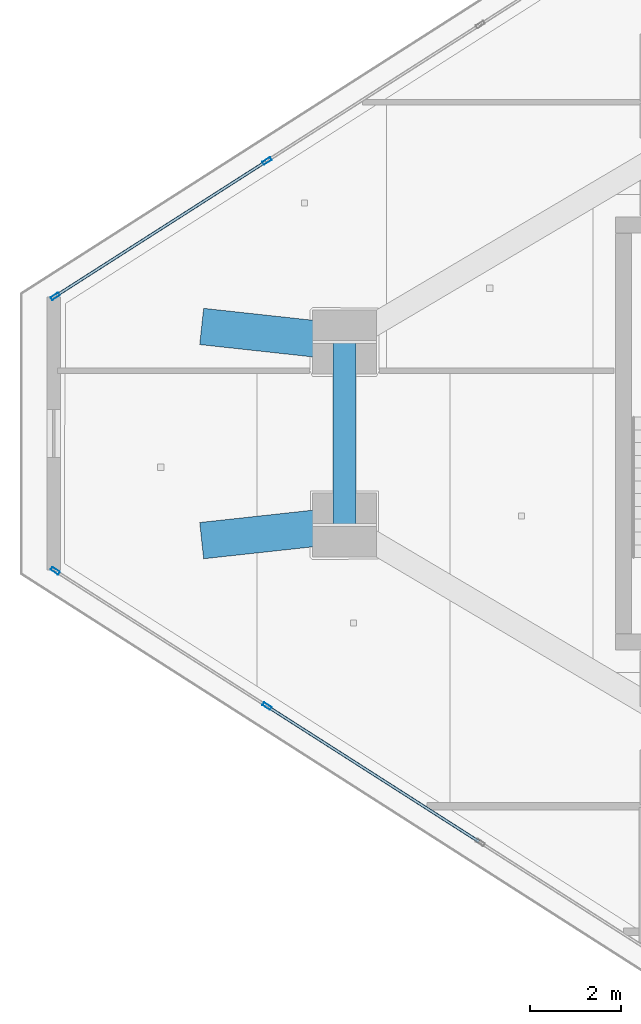
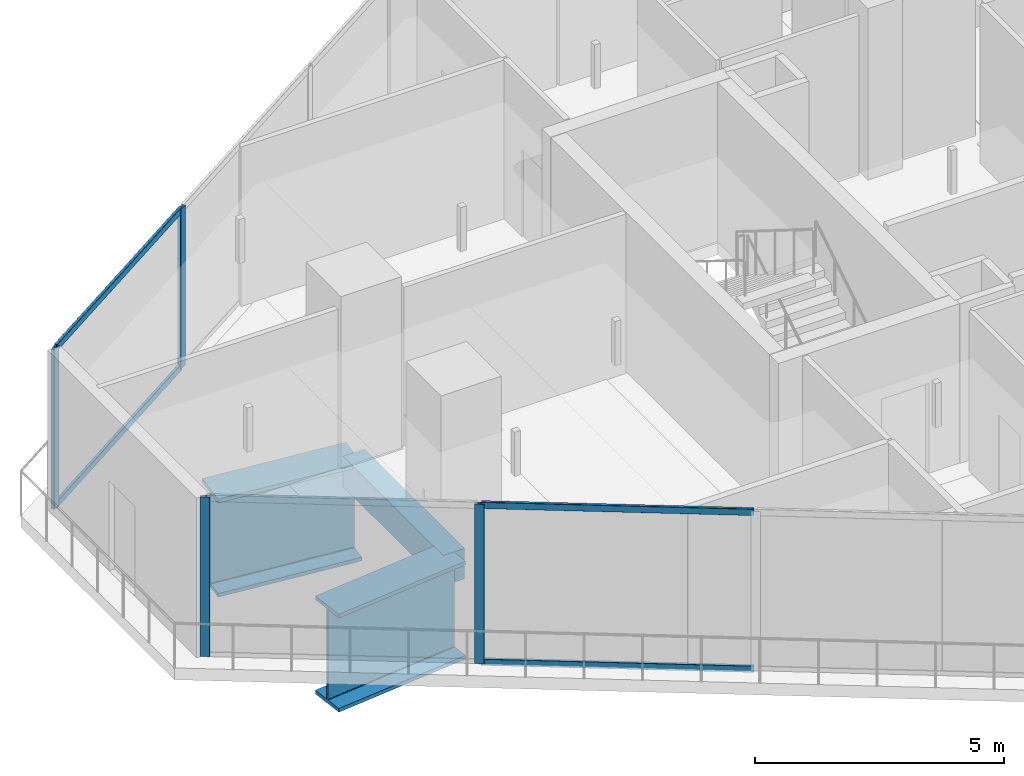
# One storey, part 5 of 29: 8 members, 3 beams, 2 elements without a shape of their own.
"""IFC4 building model written with IfcOpenShell, lengths in metres."""

from ifc_helpers import new_model, si_unit, direction, frame, origin, origin_2d, place, context, subcontext, project, spatial, rectangle, hollow_rectangle, i_section, extrude, material, layer, layer_set, material_profile, profile_set, type_object, element, aggregate, save


model = new_model("IFC4")

# Units and contexts
model_context = context("Model", 3, precision=1e-05, world=origin(), true_north=direction((0.0, 1.0)))
body_context = subcontext(model_context, "Body", "Model", "MODEL_VIEW")
ifc_project = project(units=[si_unit("LENGTHUNIT", "METRE"), si_unit("AREAUNIT", "SQUARE_METRE"), si_unit("VOLUMEUNIT", "CUBIC_METRE"), si_unit("PLANEANGLEUNIT", "RADIAN"), si_unit("MASSUNIT", "GRAM", prefix="KILO")], contexts=[model_context])

# Site, building, storey
site_placement = place(None, origin())
site = spatial("IfcSite", under=ifc_project, at=site_placement, CompositionType="ELEMENT")
building_placement = place(site_placement, origin())
building = spatial("IfcBuilding", under=site, at=building_placement, Name="Qorvath Tower", CompositionType="ELEMENT")
storey_placement = place(building_placement, frame((0.0, 0.0, 285.0)))
storey = spatial("IfcBuildingStorey", under=building, at=storey_placement, Name="L66", CompositionType="ELEMENT", Elevation=285.0)

# Beams
ifc_material_1 = material(Name="Concrete C45/55", Category="concrete")
ifc_material_profile_1 = material_profile(ifc_material_1, rectangle(XDim=0.5, YDim=0.75, at=origin_2d()), Name="RCB 750x500")
ifc_profile_set_1 = profile_set([ifc_material_profile_1], Name="Concrete C45/55")
beam_type_1 = type_object("IfcBeamType", Name="BM-RCB3", PredefinedType="SPANDREL", material=ifc_profile_set_1)
beam_placement = place(storey_placement, frame((-44.402587890625, 2.007568359375, -0.6650390625), z_axis=(0.0, -1.0, 0.0), x_axis=(1.0, 0.0, 0.0)))
element("IfcBeam", 1, at=beam_placement, inside=storey, type_object=beam_type_1, Name="Perimeter Loggia Frame Beam MC1-MC2 L66", PredefinedType="SPANDREL", context=body_context, shape_type="SweptSolid", body=[
    extrude(rectangle(XDim=0.5, YDim=0.75, at=origin_2d()), origin(), (0.0, 0.0, 1.0), 4.01513671875),
])
ifc_material_2 = material(Name="Steel ASTM A572 Grade 50", Category="steel")
ifc_material_profile_2 = material_profile(ifc_material_2, i_section(OverallWidth=0.800048828125, OverallDepth=2.39990234375, WebThickness=0.044921875, FlangeThickness=0.090087890625, FilletRadius=0.02490234375, at=origin_2d()), Name="WTG 2400x800")
ifc_profile_set_2 = profile_set([ifc_material_profile_2], Name="Steel ASTM A572 Grade 50")
beam_type_2 = type_object("IfcBeamType", Name="BM-TG2", PredefinedType="BEAM", material=ifc_profile_set_2)
for number, where, z_axis, x_axis, name in (
    (2, (-47.53759765625, 2.349609375, -1.489990234375), (0.994100810808, -0.108460029277, 0.0), (0.108460029277, 0.994100810808, 0.0), "Zone Step Transfer Tie MC1 L66"),
    (3, (-47.53759765625, -2.349609375, -1.489990234375), (0.994100810808, 0.108460029277, 0.0), (-0.108460029277, 0.994100810808, 0.0), "Zone Step Transfer Tie MC2 L66"),
):
    element("IfcBeam", number, at=place(storey_placement, frame(where, z_axis=z_axis, x_axis=x_axis)), inside=storey, type_object=beam_type_2, Name=name, PredefinedType="BEAM", context=body_context, shape_type="SweptSolid", body=[
        extrude(i_section(OverallWidth=0.800048828125, OverallDepth=2.39990234375, WebThickness=0.044921875, FlangeThickness=0.090087890625, FilletRadius=0.02490234375, at=origin_2d()), origin(), (0.0, 0.0, 1.0), 3.153564453125),
    ])

# Curtain wall, members
ifc_material_3 = material(Name="Anodised aluminium and triple low-E glass", Category="aluminium")
ifc_layer = layer(ifc_material_3, 0.179931640625)
ifc_layer_set = layer_set([ifc_layer], Name="CW-SYS-4")
curtain_wall_type = type_object("IfcCurtainWallType", Name="CW-SYS-4", PredefinedType="NOTDEFINED", material=ifc_layer_set)
curtain_wall_1_placement = place(storey_placement, origin())
curtain_wall_1 = element("IfcCurtainWall", 4, at=curtain_wall_1_placement, inside=storey, type_object=curtain_wall_type, Name="Curtain Wall CW-4 CW-T-L66-2.1", PredefinedType="NOTDEFINED")
ifc_material_4 = material(Name="Anodised aluminium 6063-T6", Category="aluminium")
ifc_material_profile_3 = material_profile(ifc_material_4, hollow_rectangle(XDim=0.074951171875, YDim=0.199951171875, WallThickness=0.00390625, InnerFilletRadius=0.00390625, OuterFilletRadius=0.008056640625, at=origin_2d()), Name="CWM 200x75")
ifc_profile_set_3 = profile_set([ifc_material_profile_3], Name="Anodised aluminium 6063-T6")
member_type_1 = type_object("IfcMemberType", Name="CWM-200", PredefinedType="MULLION", material=ifc_profile_set_3)
member_1_placement = place(storey_placement, frame((-50.751708984375, -3.011474609375, 0.0), z_axis=(0.0, 0.0, 1.0), x_axis=(0.538532094557, 0.842604998283, 0.0)))
member_1 = element("IfcMember", 5, at=member_1_placement, type_object=member_type_1, Name="CW-4 mullion 1", PredefinedType="MULLION", context=body_context, shape_type="SweptSolid", body=[
    extrude(hollow_rectangle(XDim=0.074951171875, YDim=0.199951171875, WallThickness=0.00390625, InnerFilletRadius=0.00390625, OuterFilletRadius=0.008056640625, at=origin_2d()), origin(), (0.0, 0.0, 1.0), 3.909912109375),
])
member_2_placement = place(storey_placement, frame((-46.103271484375, -5.982177734375, 0.0), z_axis=(0.0, 0.0, 1.0), x_axis=(0.538532094557, 0.842604998283, 0.0)))
member_2 = element("IfcMember", 6, at=member_2_placement, type_object=member_type_1, Name="CW-4 mullion 2", PredefinedType="MULLION", context=body_context, shape_type="SweptSolid", body=[
    extrude(hollow_rectangle(XDim=0.074951171875, YDim=0.199951171875, WallThickness=0.00390625, InnerFilletRadius=0.00390625, OuterFilletRadius=0.008056640625, at=origin_2d()), origin(), (0.0, 0.0, 1.0), 3.909912109375),
])

curtain_wall_2_placement = place(storey_placement, origin())
curtain_wall_2 = element("IfcCurtainWall", 7, at=curtain_wall_2_placement, inside=storey, type_object=curtain_wall_type, Name="Curtain Wall CW-4 CW-T-L66-16.1", PredefinedType="NOTDEFINED")
member_3_placement = place(storey_placement, frame((-46.103271484375, 5.982177734375, 0.0), z_axis=(0.0, 0.0, 1.0), x_axis=(0.538532094557, -0.842604998283, 0.0)))
member_3 = element("IfcMember", 8, at=member_3_placement, type_object=member_type_1, Name="CW-4 mullion 7", PredefinedType="MULLION", context=body_context, shape_type="SweptSolid", body=[
    extrude(hollow_rectangle(XDim=0.074951171875, YDim=0.199951171875, WallThickness=0.00390625, InnerFilletRadius=0.00390625, OuterFilletRadius=0.008056640625, at=origin_2d()), origin(), (0.0, 0.0, 1.0), 3.909912109375),
])
member_4_placement = place(storey_placement, frame((-50.751708984375, 3.011474609375, 0.0), z_axis=(0.0, 0.0, 1.0), x_axis=(0.538532094557, -0.842604998283, 0.0)))
member_4 = element("IfcMember", 9, at=member_4_placement, type_object=member_type_1, Name="CW-4 mullion 8", PredefinedType="MULLION", context=body_context, shape_type="SweptSolid", body=[
    extrude(hollow_rectangle(XDim=0.074951171875, YDim=0.199951171875, WallThickness=0.00390625, InnerFilletRadius=0.00390625, OuterFilletRadius=0.008056640625, at=origin_2d()), origin(), (0.0, 0.0, 1.0), 3.909912109375),
])

# Member
ifc_material_5 = material(Name="Anodised aluminium 6063-T6", Category="aluminium")
ifc_material_profile_4 = material_profile(ifc_material_5, hollow_rectangle(XDim=0.06494140625, YDim=0.159912109375, WallThickness=0.00341796875, InnerFilletRadius=0.00341796875, OuterFilletRadius=0.007080078125, at=origin_2d()), Name="CWT 160x65")
ifc_profile_set_4 = profile_set([ifc_material_profile_4], Name="Anodised aluminium 6063-T6")
member_type_2 = type_object("IfcMemberType", Name="CWT-160", PredefinedType="USERDEFINED", material=ifc_profile_set_4)
member_5_placement = place(storey_placement, frame((-46.07177734375, -6.00244140625, 0.032470703125), z_axis=(0.842615950321, -0.538514958256, 0.0), x_axis=(0.538514958256, 0.842615950321, 0.0)))
member_5 = element("IfcMember", 10, at=member_5_placement, type_object=member_type_2, Name="CW-4 transom 2.1", ObjectType="TRANSOM", PredefinedType="USERDEFINED", context=body_context, shape_type="SweptSolid", body=[
    extrude(hollow_rectangle(XDim=0.06494140625, YDim=0.159912109375, WallThickness=0.00341796875, InnerFilletRadius=0.00341796875, OuterFilletRadius=0.007080078125, at=origin_2d()), origin(), (0.0, 0.0, 1.0), 5.479248046875),
])

member_6_placement = place(storey_placement, frame((-46.07177734375, -6.00244140625, 3.87744140625), z_axis=(0.842615950321, -0.538514958256, 0.0), x_axis=(0.538514958256, 0.842615950321, 0.0)))
member_6 = element("IfcMember", 11, at=member_6_placement, type_object=member_type_2, Name="CW-4 transom 2.2", ObjectType="TRANSOM", PredefinedType="USERDEFINED", context=body_context, shape_type="SweptSolid", body=[
    extrude(hollow_rectangle(XDim=0.06494140625, YDim=0.159912109375, WallThickness=0.00341796875, InnerFilletRadius=0.00341796875, OuterFilletRadius=0.007080078125, at=origin_2d()), origin(), (0.0, 0.0, 1.0), 5.479248046875),
])

aggregate(curtain_wall_1, [member_1, member_2, member_5, member_6])

member_7_placement = place(storey_placement, frame((-46.134765625, 5.962158203125, 0.032470703125), z_axis=(-0.842593905123, -0.538549450886, 0.0), x_axis=(0.538549450886, -0.842593905123, 0.0)))
member_7 = element("IfcMember", 12, at=member_7_placement, type_object=member_type_2, Name="CW-4 transom 7.1", ObjectType="TRANSOM", PredefinedType="USERDEFINED", context=body_context, shape_type="SweptSolid", body=[
    extrude(hollow_rectangle(XDim=0.06494140625, YDim=0.159912109375, WallThickness=0.00341796875, InnerFilletRadius=0.00341796875, OuterFilletRadius=0.007080078125, at=origin_2d()), origin(), (0.0, 0.0, 1.0), 5.44189453125),
])

member_8_placement = place(storey_placement, frame((-46.134765625, 5.962158203125, 3.87744140625), z_axis=(-0.842593905123, -0.538549450886, 0.0), x_axis=(0.538549450886, -0.842593905123, 0.0)))
member_8 = element("IfcMember", 13, at=member_8_placement, type_object=member_type_2, Name="CW-4 transom 7.2", ObjectType="TRANSOM", PredefinedType="USERDEFINED", context=body_context, shape_type="SweptSolid", body=[
    extrude(hollow_rectangle(XDim=0.06494140625, YDim=0.159912109375, WallThickness=0.00341796875, InnerFilletRadius=0.00341796875, OuterFilletRadius=0.007080078125, at=origin_2d()), origin(), (0.0, 0.0, 1.0), 5.44189453125),
])

aggregate(curtain_wall_2, [member_3, member_4, member_7, member_8])

save(model, "model.ifc")
